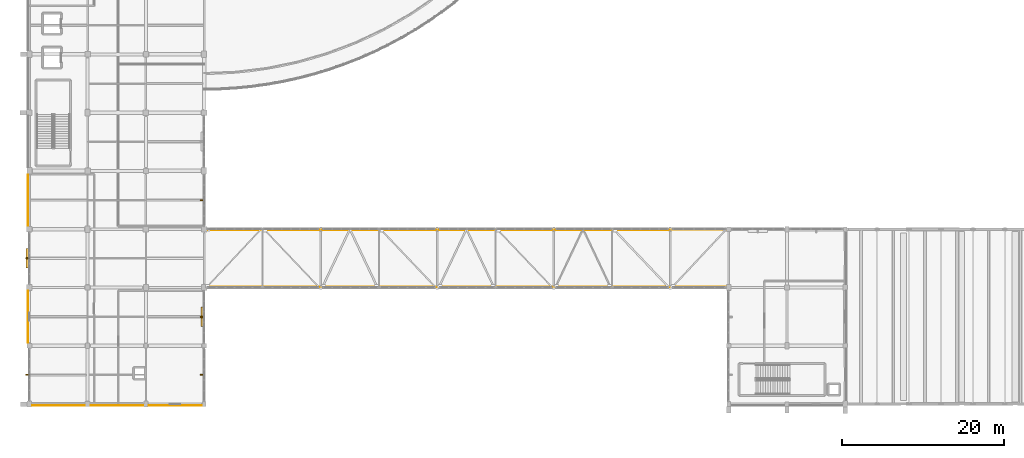
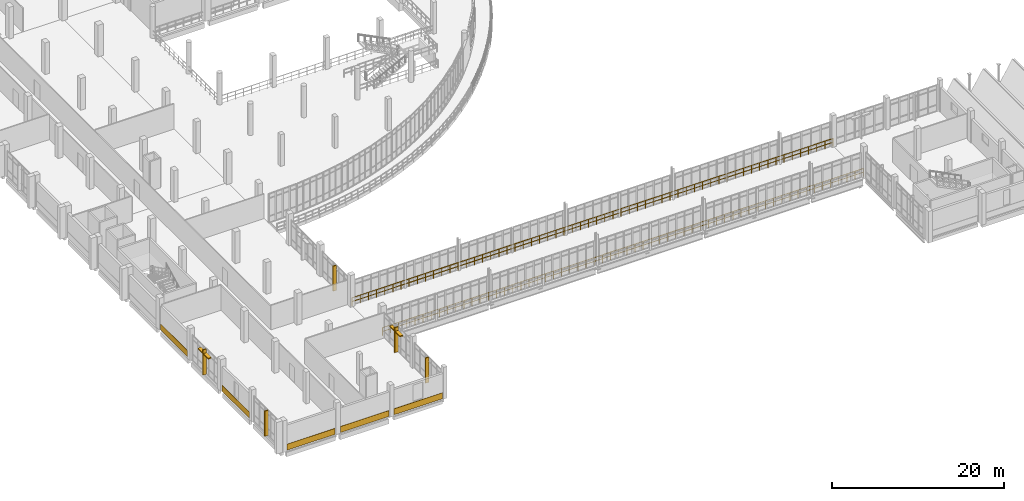
# One storey, part 115 of 124: 7 shading devices, 5 coverings, 2 railings.
"""IFC4 building model written with IfcOpenShell, lengths in metres."""

import ifcopenshell
import ifcopenshell.guid

model = None  # the IFC model being written
_history = None  # IfcOwnerHistory: only IFC2X3 demands one
_inside = {}  # id of a spatial element -> (the spatial element, [elements in it])
_under = {}  # id of a project, library or spatial element -> (it, [spatial elements below it])
_declared = {}  # id of a project -> (the project, [libraries it declares])
_typed = {}  # id of a type object -> (the type object, [elements of that type])
_made_of = {}  # id of a material, layer set ... -> (it, [elements and type objects made of it])


def new_model(schema):
    """Start an empty IFC model of exactly this schema.

    Asked for "IFC4X3", IfcOpenShell would pick the latest addendum, in which some entities
    have other attributes; the version numbers below select the first issue.
    IFC2X3 requires an IfcOwnerHistory on every rooted entity: one is made here for all.
    """
    global model, _history
    if schema == "IFC4X3":
        model = ifcopenshell.file(schema_version=(4, 3, 0, 0))
    else:
        model = ifcopenshell.file(schema=schema)
    _inside.clear()
    _under.clear()
    _declared.clear()
    _typed.clear()
    _made_of.clear()
    _history = None
    if model.schema == "IFC2X3":
        org = make("IfcOrganization", Name="unknown")
        user = make(
            "IfcPersonAndOrganization",
            ThePerson=make("IfcPerson", FamilyName="unknown"),
            TheOrganization=org,
        )
        app = make(
            "IfcApplication",
            ApplicationDeveloper=org,
            Version="unknown",
            ApplicationFullName="unknown",
            ApplicationIdentifier="unknown",
        )
        _history = make(
            "IfcOwnerHistory",
            OwningUser=user,
            OwningApplication=app,
            ChangeAction="ADDED",
            CreationDate=0,
        )
    return model


def make(cls, **values):
    """One entity of the class cls with the attributes given. An attribute that is None is left unset."""
    return model.create_entity(
        cls, **{name: value for name, value in values.items() if value is not None}
    )


def rooted(cls, **values):
    """An entity with a GlobalId (a new one), such as an element, a storey or a relation."""
    return make(cls, GlobalId=ifcopenshell.guid.new(), OwnerHistory=_history, **values)


def si_unit(unit_type, name, prefix=None):
    """IfcSIUnit, for example si_unit("LENGTHUNIT", "METRE", prefix="MILLI")."""
    return make("IfcSIUnit", UnitType=unit_type, Prefix=prefix, Name=name)


def assignment(units):
    """IfcUnitAssignment: the units of a project."""
    return None if units is None else make("IfcUnitAssignment", Units=units)


def point(xyz):
    """IfcCartesianPoint."""
    return None if xyz is None else make("IfcCartesianPoint", Coordinates=xyz)


def direction(xyz):
    """IfcDirection."""
    return None if xyz is None else make("IfcDirection", DirectionRatios=xyz)


def frame(location, z_axis=None, x_axis=None):
    """IfcAxis2Placement3D, a coordinate frame: its origin and axes. An axis left out is left unset."""
    return make(
        "IfcAxis2Placement3D",
        Location=point(location),
        Axis=direction(z_axis),
        RefDirection=direction(x_axis),
    )


def frame_2d(location, x_axis=None):
    """IfcAxis2Placement2D, a coordinate frame in the plane: its origin and x axis."""
    return make(
        "IfcAxis2Placement2D", Location=point(location), RefDirection=direction(x_axis)
    )


def origin():
    """The frame at (0, 0, 0) with its axes left unset."""
    return frame((0.0, 0.0, 0.0))


def origin_2d():
    """The frame at (0, 0) in the plane with its x axis left unset."""
    return frame_2d((0.0, 0.0))


def place(relative_to, where):
    """IfcLocalPlacement: puts the frame where relative to a parent placement (None: the world)."""
    return make(
        "IfcLocalPlacement", PlacementRelTo=relative_to, RelativePlacement=where
    )


def context(
    kind, dimensions, precision=None, world=None, true_north=None, identifier=None
):
    """IfcGeometricRepresentationContext, for example the 3D "Model" context."""
    return make(
        "IfcGeometricRepresentationContext",
        ContextIdentifier=identifier,
        ContextType=kind,
        CoordinateSpaceDimension=dimensions,
        Precision=precision,
        WorldCoordinateSystem=world,
        TrueNorth=true_north,
    )


def subcontext(parent, identifier, kind, view, scale=None):
    """IfcGeometricRepresentationSubContext, for example "Body" below "Model"."""
    return make(
        "IfcGeometricRepresentationSubContext",
        ContextIdentifier=identifier,
        ContextType=kind,
        ParentContext=parent,
        TargetScale=scale,
        TargetView=view,
    )


def project(units=None, contexts=None):
    """IfcProject with its units and contexts."""
    return rooted(
        "IfcProject",
        Name="project",
        RepresentationContexts=contexts,
        UnitsInContext=assignment(units),
    )


def spatial(cls, under=None, at=None, **own):
    """A site, building, storey or space (cls), placed at a placement, below another one or the project."""
    s = rooted(cls, ObjectPlacement=at, **own)
    if under is not None:
        _under.setdefault(under.id(), (under, []))[1].append(s)
    return s


def profile(cls, at=None, kind="AREA", **sizes):
    """A parametric profile (cls). Its sizes go by their IFC names, for example OverallWidth=200.0."""
    return make(cls, ProfileType=kind, Position=at, **sizes)


def rectangle(**sizes):
    """IfcRectangleProfileDef."""
    return profile("IfcRectangleProfileDef", **sizes)


def circle(**sizes):
    """IfcCircleProfileDef."""
    return profile("IfcCircleProfileDef", **sizes)


def extrude(swept, where, along, depth):
    """IfcExtrudedAreaSolid: the profile swept, set in the frame where, extruded along a direction by depth."""
    return make(
        "IfcExtrudedAreaSolid",
        SweptArea=swept,
        Position=where,
        ExtrudedDirection=direction(along),
        Depth=depth,
    )


def shape(context_of_items, identifier, shape_type, items):
    """IfcShapeRepresentation: the items that make up one representation, for example the "Body"."""
    return make(
        "IfcShapeRepresentation",
        ContextOfItems=context_of_items,
        RepresentationIdentifier=identifier,
        RepresentationType=shape_type,
        Items=items,
    )


def material(Name=None, Category=None):
    """IfcMaterial."""
    return make("IfcMaterial", Name=Name, Category=Category)


def layer(
    of_material, thickness, ventilated=None, Name=None, Category=None, Priority=None
):
    """IfcMaterialLayer: one layer of a wall or slab, of a material (None: an air gap)."""
    return make(
        "IfcMaterialLayer",
        Material=of_material,
        LayerThickness=thickness,
        IsVentilated=ventilated,
        Name=Name,
        Category=Category,
        Priority=Priority,
    )


def layer_set(layers, Name=None):
    """IfcMaterialLayerSet."""
    return make("IfcMaterialLayerSet", MaterialLayers=layers, LayerSetName=Name)


def made_of(thing, what):
    """Note that an element or type object is made of a material, layer set ...; save() writes the relation."""
    if what is not None:
        _made_of.setdefault(what.id(), (what, []))[1].append(thing)
    return thing


def type_object(cls, material=None, **own):
    """A type object (cls), such as IfcWallType, which elements share."""
    return made_of(rooted(cls, **own), material)


def element(
    cls,
    number,
    at=None,
    inside=None,
    cuts=None,
    type_object=None,
    material=None,
    context=None,
    identifier="Body",
    shape_type=None,
    held_by="IfcProductDefinitionShape",
    body=None,
    shapes=None,
    **own,
):
    """One element of the class cls, such as IfcWall. Its Tag is "e" and its number.

    at: its placement. inside: the storey or other place that contains it. cuts: it is an
    opening in that element (IfcRelVoidsElement). A single representation is given by context,
    identifier, shape_type and body (its items); several are given by shapes. held_by: the class
    of the entity that holds the representations. save() writes the other relations.
    """
    e = rooted(cls, Tag="e%d" % number, ObjectPlacement=at, **own)
    if body is not None:
        shapes = [shape(context, identifier, shape_type, body)]
    if shapes is not None:
        e.Representation = make(held_by, Representations=shapes)
    if inside is not None:
        _inside.setdefault(inside.id(), (inside, []))[1].append(e)
    if cuts is not None:
        rooted(
            "IfcRelVoidsElement", RelatingBuildingElement=cuts, RelatedOpeningElement=e
        )
    if type_object is not None:
        _typed.setdefault(type_object.id(), (type_object, []))[1].append(e)
    return made_of(e, material)


def aggregate(whole, parts):
    """IfcRelAggregates: a whole, such as a stair, and the parts it consists of."""
    return rooted("IfcRelAggregates", RelatingObject=whole, RelatedObjects=parts)


def save(model, path):
    """Write the relations noted so far, then the file.

    IfcRelAggregates (storeys below a building ...), IfcRelContainedInSpatialStructure (elements
    in a storey), IfcRelDefinesByType, IfcRelAssociatesMaterial and IfcRelDeclares: one each for
    every whole, place, type object, material and project.
    """
    for whole, parts in _under.values():
        aggregate(whole, parts)
    for where, things in _inside.values():
        rooted(
            "IfcRelContainedInSpatialStructure",
            RelatedElements=things,
            RelatingStructure=where,
        )
    for kind, things in _typed.values():
        rooted("IfcRelDefinesByType", RelatedObjects=things, RelatingType=kind)
    for what, things in _made_of.values():
        rooted("IfcRelAssociatesMaterial", RelatedObjects=things, RelatingMaterial=what)
    for by, libraries in _declared.values():
        rooted("IfcRelDeclares", RelatingContext=by, RelatedDefinitions=libraries)
    model.write(path)


model = new_model("IFC4")

# Units and contexts
model_context = context("Model", 3, precision=1e-05, world=origin(), true_north=direction((0.0, 1.0)))
body_context = subcontext(model_context, "Body", "Model", "MODEL_VIEW")
ifc_project = project(units=[si_unit("LENGTHUNIT", "METRE"), si_unit("AREAUNIT", "SQUARE_METRE"), si_unit("VOLUMEUNIT", "CUBIC_METRE"), si_unit("PLANEANGLEUNIT", "RADIAN"), si_unit("MASSUNIT", "GRAM", prefix="KILO")], contexts=[model_context])

# Site, building, storey
site_placement = place(None, origin())
site = spatial("IfcSite", under=ifc_project, at=site_placement, CompositionType="ELEMENT")
building_placement = place(site_placement, origin())
building = spatial("IfcBuilding", under=site, at=building_placement, Name="Kalluvel Institute of Natural Sciences", CompositionType="ELEMENT")
storey_placement = place(building_placement, frame((0.0, 0.0, 9.89990234375)))
storey = spatial("IfcBuildingStorey", under=building, at=storey_placement, Name="L02", CompositionType="ELEMENT", Elevation=9.89990234375)

# Coverings
ifc_material_1 = material(Name="Sadarahalli Grey Granite Ashlar Concrete M40", Category="masonry")
ifc_layer = layer(ifc_material_1, 0.044921875)
ifc_layer_set = layer_set([ifc_layer], Name="Sadarahalli Grey Granite Ashlar Concrete M40")
covering_type = type_object("IfcCoveringType", Name="COV-CLAD-STONE", PredefinedType="CLADDING", material=ifc_layer_set)
covering_1_placement = place(storey_placement, frame((13.830078125, 24.77490234375, 0.025146484375), z_axis=(0.0, 0.0, 1.0), x_axis=(0.0, 1.0, 0.0)))
element("IfcCovering", 1, at=covering_1_placement, inside=storey, type_object=covering_type, Name="L02 Sadarahalli granite plinth spandrel cladding 149", PredefinedType="CLADDING", context=body_context, shape_type="SweptSolid", body=[
    extrude(rectangle(XDim=6.389892578125, YDim=0.044921875, at=origin_2d()), origin(), (0.0, 0.0, 1.0), 0.85009765625),
])
covering_2_placement = place(storey_placement, frame((13.830078125, 39.16259765625, 0.025146484375), z_axis=(0.0, 0.0, 1.0), x_axis=(0.0, 1.0, 0.0)))
element("IfcCovering", 2, at=covering_2_placement, inside=storey, type_object=covering_type, Name="L02 Sadarahalli granite plinth spandrel cladding 150", PredefinedType="CLADDING", context=body_context, shape_type="SweptSolid", body=[
    extrude(rectangle(XDim=6.31494140625, YDim=0.044921875, at=origin_2d()), origin(), (0.0, 0.0, 1.0), 0.85009765625),
])
covering_3_placement = place(storey_placement, frame((17.58740234375, 13.830078125, 0.025146484375), z_axis=(0.0, 0.0, 1.0), x_axis=(1.0, 0.0, 0.0)))
element("IfcCovering", 3, at=covering_3_placement, inside=storey, type_object=covering_type, Name="L02 Sadarahalli granite plinth spandrel cladding 157", PredefinedType="CLADDING", context=body_context, shape_type="SweptSolid", body=[
    extrude(rectangle(XDim=6.465087890625, YDim=0.044921875, at=origin_2d()), origin(), (0.0, 0.0, 1.0), 0.85009765625),
])
covering_4_placement = place(storey_placement, frame((24.824951171875, 13.830078125, 0.025146484375), z_axis=(0.0, 0.0, 1.0), x_axis=(1.0, 0.0, 0.0)))
element("IfcCovering", 4, at=covering_4_placement, inside=storey, type_object=covering_type, Name="L02 Sadarahalli granite plinth spandrel cladding 158", PredefinedType="CLADDING", context=body_context, shape_type="SweptSolid", body=[
    extrude(rectangle(XDim=6.489990234375, YDim=0.044921875, at=origin_2d()), origin(), (0.0, 0.0, 1.0), 0.85009765625),
])
covering_5_placement = place(storey_placement, frame((32.012451171875, 13.830078125, 0.025146484375), z_axis=(0.0, 0.0, 1.0), x_axis=(1.0, 0.0, 0.0)))
element("IfcCovering", 5, at=covering_5_placement, inside=storey, type_object=covering_type, Name="L02 Sadarahalli granite plinth spandrel cladding 159", PredefinedType="CLADDING", context=body_context, shape_type="SweptSolid", body=[
    extrude(rectangle(XDim=6.56494140625, YDim=0.044921875, at=origin_2d()), origin(), (0.0, 0.0, 1.0), 0.85009765625),
])

# Railings
ifc_material_2 = material(Name="Galvanized Fire-Rated Steel", Category="steel")
railing_type = type_object("IfcRailingType", Name="RL-GD-ATRIUM", PredefinedType="BALUSTRADE", material=ifc_material_2)
railing_1_placement = place(storey_placement, frame((35.64990234375, 28.47998046875, 0.0)))
element("IfcRailing", 6, at=railing_1_placement, inside=storey, type_object=railing_type, Name="L02 Glazed Truss Link Bridge S safety balustrade", PredefinedType="BALUSTRADE", context=body_context, shape_type="SweptSolid", body=[
    extrude(circle(Radius=0.02392578125, at=origin_2d()), frame((0.0, 0.0, 1.09619140625), z_axis=(1.0, 0.0, 0.0), x_axis=(0.0, 1.0, 0.0)), (0.0, 0.0, 1.0), 64.7001953125),
    extrude(circle(Radius=0.02392578125, at=origin_2d()), frame((0.0, 0.0, 0.56005859375), z_axis=(1.0, 0.0, 0.0), x_axis=(0.0, 1.0, 0.0)), (0.0, 0.0, 1.0), 64.7001953125),
    extrude(circle(Radius=0.02099609375, at=origin_2d()), origin(), (0.0, 0.0, 1.0), 1.072021484375),
    extrude(circle(Radius=0.02099609375, at=origin_2d()), frame((1.0966796875, 0.0, 0.0)), (0.0, 0.0, 1.0), 1.072021484375),
    extrude(circle(Radius=0.02099609375, at=origin_2d()), frame((2.193115234375, 0.0, 0.0)), (0.0, 0.0, 1.0), 1.072021484375),
    extrude(circle(Radius=0.02099609375, at=origin_2d()), frame((3.289794921875, 0.0, 0.0)), (0.0, 0.0, 1.0), 1.072021484375),
    extrude(circle(Radius=0.02099609375, at=origin_2d()), frame((4.386474609375, 0.0, 0.0)), (0.0, 0.0, 1.0), 1.072021484375),
    extrude(circle(Radius=0.02099609375, at=origin_2d()), frame((5.483154296875, 0.0, 0.0)), (0.0, 0.0, 1.0), 1.072021484375),
    extrude(circle(Radius=0.02099609375, at=origin_2d()), frame((6.57958984375, 0.0, 0.0)), (0.0, 0.0, 1.0), 1.072021484375),
    extrude(circle(Radius=0.02099609375, at=origin_2d()), frame((7.67626953125, 0.0, 0.0)), (0.0, 0.0, 1.0), 1.072021484375),
    extrude(circle(Radius=0.02099609375, at=origin_2d()), frame((8.77294921875, 0.0, 0.0)), (0.0, 0.0, 1.0), 1.072021484375),
    extrude(circle(Radius=0.02099609375, at=origin_2d()), frame((9.86962890625, 0.0, 0.0)), (0.0, 0.0, 1.0), 1.072021484375),
    extrude(circle(Radius=0.02099609375, at=origin_2d()), frame((10.966064453125, 0.0, 0.0)), (0.0, 0.0, 1.0), 1.072021484375),
    extrude(circle(Radius=0.02099609375, at=origin_2d()), frame((12.062744140625, 0.0, 0.0)), (0.0, 0.0, 1.0), 1.072021484375),
    extrude(circle(Radius=0.02099609375, at=origin_2d()), frame((13.159423828125, 0.0, 0.0)), (0.0, 0.0, 1.0), 1.072021484375),
    extrude(circle(Radius=0.02099609375, at=origin_2d()), frame((14.255859375, 0.0, 0.0)), (0.0, 0.0, 1.0), 1.072021484375),
    extrude(circle(Radius=0.02099609375, at=origin_2d()), frame((15.3525390625, 0.0, 0.0)), (0.0, 0.0, 1.0), 1.072021484375),
    extrude(circle(Radius=0.02099609375, at=origin_2d()), frame((16.44921875, 0.0, 0.0)), (0.0, 0.0, 1.0), 1.072021484375),
    extrude(circle(Radius=0.02099609375, at=origin_2d()), frame((17.5458984375, 0.0, 0.0)), (0.0, 0.0, 1.0), 1.072021484375),
    extrude(circle(Radius=0.02099609375, at=origin_2d()), frame((18.642333984375, 0.0, 0.0)), (0.0, 0.0, 1.0), 1.072021484375),
    extrude(circle(Radius=0.02099609375, at=origin_2d()), frame((19.739013671875, 0.0, 0.0)), (0.0, 0.0, 1.0), 1.072021484375),
    extrude(circle(Radius=0.02099609375, at=origin_2d()), frame((20.835693359375, 0.0, 0.0)), (0.0, 0.0, 1.0), 1.072021484375),
    extrude(circle(Radius=0.02099609375, at=origin_2d()), frame((21.932373046875, 0.0, 0.0)), (0.0, 0.0, 1.0), 1.072021484375),
    extrude(circle(Radius=0.02099609375, at=origin_2d()), frame((23.02880859375, 0.0, 0.0)), (0.0, 0.0, 1.0), 1.072021484375),
    extrude(circle(Radius=0.02099609375, at=origin_2d()), frame((24.12548828125, 0.0, 0.0)), (0.0, 0.0, 1.0), 1.072021484375),
    extrude(circle(Radius=0.02099609375, at=origin_2d()), frame((25.22216796875, 0.0, 0.0)), (0.0, 0.0, 1.0), 1.072021484375),
    extrude(circle(Radius=0.02099609375, at=origin_2d()), frame((26.318603515625, 0.0, 0.0)), (0.0, 0.0, 1.0), 1.072021484375),
    extrude(circle(Radius=0.02099609375, at=origin_2d()), frame((27.415283203125, 0.0, 0.0)), (0.0, 0.0, 1.0), 1.072021484375),
    extrude(circle(Radius=0.02099609375, at=origin_2d()), frame((28.511962890625, 0.0, 0.0)), (0.0, 0.0, 1.0), 1.072021484375),
    extrude(circle(Radius=0.02099609375, at=origin_2d()), frame((29.608642578125, 0.0, 0.0)), (0.0, 0.0, 1.0), 1.072021484375),
    extrude(circle(Radius=0.02099609375, at=origin_2d()), frame((30.705078125, 0.0, 0.0)), (0.0, 0.0, 1.0), 1.072021484375),
    extrude(circle(Radius=0.02099609375, at=origin_2d()), frame((31.8017578125, 0.0, 0.0)), (0.0, 0.0, 1.0), 1.072021484375),
    extrude(circle(Radius=0.02099609375, at=origin_2d()), frame((32.8984375, 0.0, 0.0)), (0.0, 0.0, 1.0), 1.072021484375),
    extrude(circle(Radius=0.02099609375, at=origin_2d()), frame((33.9951171875, 0.0, 0.0)), (0.0, 0.0, 1.0), 1.072021484375),
    extrude(circle(Radius=0.02099609375, at=origin_2d()), frame((35.091552734375, 0.0, 0.0)), (0.0, 0.0, 1.0), 1.072021484375),
    extrude(circle(Radius=0.02099609375, at=origin_2d()), frame((36.188232421875, 0.0, 0.0)), (0.0, 0.0, 1.0), 1.072021484375),
    extrude(circle(Radius=0.02099609375, at=origin_2d()), frame((37.284912109375, 0.0, 0.0)), (0.0, 0.0, 1.0), 1.072021484375),
    extrude(circle(Radius=0.02099609375, at=origin_2d()), frame((38.381591796875, 0.0, 0.0)), (0.0, 0.0, 1.0), 1.072021484375),
    extrude(circle(Radius=0.02099609375, at=origin_2d()), frame((39.47802734375, 0.0, 0.0)), (0.0, 0.0, 1.0), 1.072021484375),
    extrude(circle(Radius=0.02099609375, at=origin_2d()), frame((40.57470703125, 0.0, 0.0)), (0.0, 0.0, 1.0), 1.072021484375),
    extrude(circle(Radius=0.02099609375, at=origin_2d()), frame((41.67138671875, 0.0, 0.0)), (0.0, 0.0, 1.0), 1.072021484375),
    extrude(circle(Radius=0.02099609375, at=origin_2d()), frame((42.767822265625, 0.0, 0.0)), (0.0, 0.0, 1.0), 1.072021484375),
    extrude(circle(Radius=0.02099609375, at=origin_2d()), frame((43.864501953125, 0.0, 0.0)), (0.0, 0.0, 1.0), 1.072021484375),
    extrude(circle(Radius=0.02099609375, at=origin_2d()), frame((44.961181640625, 0.0, 0.0)), (0.0, 0.0, 1.0), 1.072021484375),
    extrude(circle(Radius=0.02099609375, at=origin_2d()), frame((46.057861328125, 0.0, 0.0)), (0.0, 0.0, 1.0), 1.072021484375),
    extrude(circle(Radius=0.02099609375, at=origin_2d()), frame((47.154296875, 0.0, 0.0)), (0.0, 0.0, 1.0), 1.072021484375),
    extrude(circle(Radius=0.02099609375, at=origin_2d()), frame((48.2509765625, 0.0, 0.0)), (0.0, 0.0, 1.0), 1.072021484375),
    extrude(circle(Radius=0.02099609375, at=origin_2d()), frame((49.34765625, 0.0, 0.0)), (0.0, 0.0, 1.0), 1.072021484375),
    extrude(circle(Radius=0.02099609375, at=origin_2d()), frame((50.4443359375, 0.0, 0.0)), (0.0, 0.0, 1.0), 1.072021484375),
    extrude(circle(Radius=0.02099609375, at=origin_2d()), frame((51.540771484375, 0.0, 0.0)), (0.0, 0.0, 1.0), 1.072021484375),
    extrude(circle(Radius=0.02099609375, at=origin_2d()), frame((52.637451171875, 0.0, 0.0)), (0.0, 0.0, 1.0), 1.072021484375),
    extrude(circle(Radius=0.02099609375, at=origin_2d()), frame((53.734130859375, 0.0, 0.0)), (0.0, 0.0, 1.0), 1.072021484375),
    extrude(circle(Radius=0.02099609375, at=origin_2d()), frame((54.83056640625, 0.0, 0.0)), (0.0, 0.0, 1.0), 1.072021484375),
    extrude(circle(Radius=0.02099609375, at=origin_2d()), frame((55.92724609375, 0.0, 0.0)), (0.0, 0.0, 1.0), 1.072021484375),
    extrude(circle(Radius=0.02099609375, at=origin_2d()), frame((57.02392578125, 0.0, 0.0)), (0.0, 0.0, 1.0), 1.072021484375),
    extrude(circle(Radius=0.02099609375, at=origin_2d()), frame((58.12060546875, 0.0, 0.0)), (0.0, 0.0, 1.0), 1.072021484375),
    extrude(circle(Radius=0.02099609375, at=origin_2d()), frame((59.217041015625, 0.0, 0.0)), (0.0, 0.0, 1.0), 1.072021484375),
    extrude(circle(Radius=0.02099609375, at=origin_2d()), frame((60.313720703125, 0.0, 0.0)), (0.0, 0.0, 1.0), 1.072021484375),
    extrude(circle(Radius=0.02099609375, at=origin_2d()), frame((61.410400390625, 0.0, 0.0)), (0.0, 0.0, 1.0), 1.072021484375),
    extrude(circle(Radius=0.02099609375, at=origin_2d()), frame((62.507080078125, 0.0, 0.0)), (0.0, 0.0, 1.0), 1.072021484375),
    extrude(circle(Radius=0.02099609375, at=origin_2d()), frame((63.603515625, 0.0, 0.0)), (0.0, 0.0, 1.0), 1.072021484375),
    extrude(circle(Radius=0.02099609375, at=origin_2d()), frame((64.7001953125, 0.0, 0.0)), (0.0, 0.0, 1.0), 1.072021484375),
])
railing_2_placement = place(storey_placement, frame((35.64990234375, 35.52001953125, 0.0)))
element("IfcRailing", 7, at=railing_2_placement, inside=storey, type_object=railing_type, Name="L02 Glazed Truss Link Bridge N safety balustrade", PredefinedType="BALUSTRADE", context=body_context, shape_type="SweptSolid", body=[
    extrude(circle(Radius=0.02392578125, at=origin_2d()), frame((0.0, 0.0, 1.09619140625), z_axis=(1.0, 0.0, 0.0), x_axis=(0.0, 1.0, 0.0)), (0.0, 0.0, 1.0), 64.7001953125),
    extrude(circle(Radius=0.02392578125, at=origin_2d()), frame((0.0, 0.0, 0.56005859375), z_axis=(1.0, 0.0, 0.0), x_axis=(0.0, 1.0, 0.0)), (0.0, 0.0, 1.0), 64.7001953125),
    extrude(circle(Radius=0.02099609375, at=origin_2d()), origin(), (0.0, 0.0, 1.0), 1.072021484375),
    extrude(circle(Radius=0.02099609375, at=origin_2d()), frame((1.0966796875, 0.0, 0.0)), (0.0, 0.0, 1.0), 1.072021484375),
    extrude(circle(Radius=0.02099609375, at=origin_2d()), frame((2.193115234375, 0.0, 0.0)), (0.0, 0.0, 1.0), 1.072021484375),
    extrude(circle(Radius=0.02099609375, at=origin_2d()), frame((3.289794921875, 0.0, 0.0)), (0.0, 0.0, 1.0), 1.072021484375),
    extrude(circle(Radius=0.02099609375, at=origin_2d()), frame((4.386474609375, 0.0, 0.0)), (0.0, 0.0, 1.0), 1.072021484375),
    extrude(circle(Radius=0.02099609375, at=origin_2d()), frame((5.483154296875, 0.0, 0.0)), (0.0, 0.0, 1.0), 1.072021484375),
    extrude(circle(Radius=0.02099609375, at=origin_2d()), frame((6.57958984375, 0.0, 0.0)), (0.0, 0.0, 1.0), 1.072021484375),
    extrude(circle(Radius=0.02099609375, at=origin_2d()), frame((7.67626953125, 0.0, 0.0)), (0.0, 0.0, 1.0), 1.072021484375),
    extrude(circle(Radius=0.02099609375, at=origin_2d()), frame((8.77294921875, 0.0, 0.0)), (0.0, 0.0, 1.0), 1.072021484375),
    extrude(circle(Radius=0.02099609375, at=origin_2d()), frame((9.86962890625, 0.0, 0.0)), (0.0, 0.0, 1.0), 1.072021484375),
    extrude(circle(Radius=0.02099609375, at=origin_2d()), frame((10.966064453125, 0.0, 0.0)), (0.0, 0.0, 1.0), 1.072021484375),
    extrude(circle(Radius=0.02099609375, at=origin_2d()), frame((12.062744140625, 0.0, 0.0)), (0.0, 0.0, 1.0), 1.072021484375),
    extrude(circle(Radius=0.02099609375, at=origin_2d()), frame((13.159423828125, 0.0, 0.0)), (0.0, 0.0, 1.0), 1.072021484375),
    extrude(circle(Radius=0.02099609375, at=origin_2d()), frame((14.255859375, 0.0, 0.0)), (0.0, 0.0, 1.0), 1.072021484375),
    extrude(circle(Radius=0.02099609375, at=origin_2d()), frame((15.3525390625, 0.0, 0.0)), (0.0, 0.0, 1.0), 1.072021484375),
    extrude(circle(Radius=0.02099609375, at=origin_2d()), frame((16.44921875, 0.0, 0.0)), (0.0, 0.0, 1.0), 1.072021484375),
    extrude(circle(Radius=0.02099609375, at=origin_2d()), frame((17.5458984375, 0.0, 0.0)), (0.0, 0.0, 1.0), 1.072021484375),
    extrude(circle(Radius=0.02099609375, at=origin_2d()), frame((18.642333984375, 0.0, 0.0)), (0.0, 0.0, 1.0), 1.072021484375),
    extrude(circle(Radius=0.02099609375, at=origin_2d()), frame((19.739013671875, 0.0, 0.0)), (0.0, 0.0, 1.0), 1.072021484375),
    extrude(circle(Radius=0.02099609375, at=origin_2d()), frame((20.835693359375, 0.0, 0.0)), (0.0, 0.0, 1.0), 1.072021484375),
    extrude(circle(Radius=0.02099609375, at=origin_2d()), frame((21.932373046875, 0.0, 0.0)), (0.0, 0.0, 1.0), 1.072021484375),
    extrude(circle(Radius=0.02099609375, at=origin_2d()), frame((23.02880859375, 0.0, 0.0)), (0.0, 0.0, 1.0), 1.072021484375),
    extrude(circle(Radius=0.02099609375, at=origin_2d()), frame((24.12548828125, 0.0, 0.0)), (0.0, 0.0, 1.0), 1.072021484375),
    extrude(circle(Radius=0.02099609375, at=origin_2d()), frame((25.22216796875, 0.0, 0.0)), (0.0, 0.0, 1.0), 1.072021484375),
    extrude(circle(Radius=0.02099609375, at=origin_2d()), frame((26.318603515625, 0.0, 0.0)), (0.0, 0.0, 1.0), 1.072021484375),
    extrude(circle(Radius=0.02099609375, at=origin_2d()), frame((27.415283203125, 0.0, 0.0)), (0.0, 0.0, 1.0), 1.072021484375),
    extrude(circle(Radius=0.02099609375, at=origin_2d()), frame((28.511962890625, 0.0, 0.0)), (0.0, 0.0, 1.0), 1.072021484375),
    extrude(circle(Radius=0.02099609375, at=origin_2d()), frame((29.608642578125, 0.0, 0.0)), (0.0, 0.0, 1.0), 1.072021484375),
    extrude(circle(Radius=0.02099609375, at=origin_2d()), frame((30.705078125, 0.0, 0.0)), (0.0, 0.0, 1.0), 1.072021484375),
    extrude(circle(Radius=0.02099609375, at=origin_2d()), frame((31.8017578125, 0.0, 0.0)), (0.0, 0.0, 1.0), 1.072021484375),
    extrude(circle(Radius=0.02099609375, at=origin_2d()), frame((32.8984375, 0.0, 0.0)), (0.0, 0.0, 1.0), 1.072021484375),
    extrude(circle(Radius=0.02099609375, at=origin_2d()), frame((33.9951171875, 0.0, 0.0)), (0.0, 0.0, 1.0), 1.072021484375),
    extrude(circle(Radius=0.02099609375, at=origin_2d()), frame((35.091552734375, 0.0, 0.0)), (0.0, 0.0, 1.0), 1.072021484375),
    extrude(circle(Radius=0.02099609375, at=origin_2d()), frame((36.188232421875, 0.0, 0.0)), (0.0, 0.0, 1.0), 1.072021484375),
    extrude(circle(Radius=0.02099609375, at=origin_2d()), frame((37.284912109375, 0.0, 0.0)), (0.0, 0.0, 1.0), 1.072021484375),
    extrude(circle(Radius=0.02099609375, at=origin_2d()), frame((38.381591796875, 0.0, 0.0)), (0.0, 0.0, 1.0), 1.072021484375),
    extrude(circle(Radius=0.02099609375, at=origin_2d()), frame((39.47802734375, 0.0, 0.0)), (0.0, 0.0, 1.0), 1.072021484375),
    extrude(circle(Radius=0.02099609375, at=origin_2d()), frame((40.57470703125, 0.0, 0.0)), (0.0, 0.0, 1.0), 1.072021484375),
    extrude(circle(Radius=0.02099609375, at=origin_2d()), frame((41.67138671875, 0.0, 0.0)), (0.0, 0.0, 1.0), 1.072021484375),
    extrude(circle(Radius=0.02099609375, at=origin_2d()), frame((42.767822265625, 0.0, 0.0)), (0.0, 0.0, 1.0), 1.072021484375),
    extrude(circle(Radius=0.02099609375, at=origin_2d()), frame((43.864501953125, 0.0, 0.0)), (0.0, 0.0, 1.0), 1.072021484375),
    extrude(circle(Radius=0.02099609375, at=origin_2d()), frame((44.961181640625, 0.0, 0.0)), (0.0, 0.0, 1.0), 1.072021484375),
    extrude(circle(Radius=0.02099609375, at=origin_2d()), frame((46.057861328125, 0.0, 0.0)), (0.0, 0.0, 1.0), 1.072021484375),
    extrude(circle(Radius=0.02099609375, at=origin_2d()), frame((47.154296875, 0.0, 0.0)), (0.0, 0.0, 1.0), 1.072021484375),
    extrude(circle(Radius=0.02099609375, at=origin_2d()), frame((48.2509765625, 0.0, 0.0)), (0.0, 0.0, 1.0), 1.072021484375),
    extrude(circle(Radius=0.02099609375, at=origin_2d()), frame((49.34765625, 0.0, 0.0)), (0.0, 0.0, 1.0), 1.072021484375),
    extrude(circle(Radius=0.02099609375, at=origin_2d()), frame((50.4443359375, 0.0, 0.0)), (0.0, 0.0, 1.0), 1.072021484375),
    extrude(circle(Radius=0.02099609375, at=origin_2d()), frame((51.540771484375, 0.0, 0.0)), (0.0, 0.0, 1.0), 1.072021484375),
    extrude(circle(Radius=0.02099609375, at=origin_2d()), frame((52.637451171875, 0.0, 0.0)), (0.0, 0.0, 1.0), 1.072021484375),
    extrude(circle(Radius=0.02099609375, at=origin_2d()), frame((53.734130859375, 0.0, 0.0)), (0.0, 0.0, 1.0), 1.072021484375),
    extrude(circle(Radius=0.02099609375, at=origin_2d()), frame((54.83056640625, 0.0, 0.0)), (0.0, 0.0, 1.0), 1.072021484375),
    extrude(circle(Radius=0.02099609375, at=origin_2d()), frame((55.92724609375, 0.0, 0.0)), (0.0, 0.0, 1.0), 1.072021484375),
    extrude(circle(Radius=0.02099609375, at=origin_2d()), frame((57.02392578125, 0.0, 0.0)), (0.0, 0.0, 1.0), 1.072021484375),
    extrude(circle(Radius=0.02099609375, at=origin_2d()), frame((58.12060546875, 0.0, 0.0)), (0.0, 0.0, 1.0), 1.072021484375),
    extrude(circle(Radius=0.02099609375, at=origin_2d()), frame((59.217041015625, 0.0, 0.0)), (0.0, 0.0, 1.0), 1.072021484375),
    extrude(circle(Radius=0.02099609375, at=origin_2d()), frame((60.313720703125, 0.0, 0.0)), (0.0, 0.0, 1.0), 1.072021484375),
    extrude(circle(Radius=0.02099609375, at=origin_2d()), frame((61.410400390625, 0.0, 0.0)), (0.0, 0.0, 1.0), 1.072021484375),
    extrude(circle(Radius=0.02099609375, at=origin_2d()), frame((62.507080078125, 0.0, 0.0)), (0.0, 0.0, 1.0), 1.072021484375),
    extrude(circle(Radius=0.02099609375, at=origin_2d()), frame((63.603515625, 0.0, 0.0)), (0.0, 0.0, 1.0), 1.072021484375),
    extrude(circle(Radius=0.02099609375, at=origin_2d()), frame((64.7001953125, 0.0, 0.0)), (0.0, 0.0, 1.0), 1.072021484375),
])

# Shading devices
shading_device_type_1 = type_object("IfcShadingDeviceType", Name="SHD-FIN-STONE", PredefinedType="USERDEFINED", material=ifc_material_1)
for number, where, z_axis, x_axis, name in (
    (8, (13.780029296875, 17.637451171875, 0.0), (0.0, 0.0, 1.0), (0.0, 1.0, 0.0), "L02 monsoon lancet shading fin 140"),
    (9, (13.780029296875, 32.012451171875, 0.0), (0.0, 0.0, 1.0), (0.0, 1.0, 0.0), "L02 monsoon lancet shading fin 141"),
    (10, (35.3798828125, 17.612548828125, 0.0), (0.0, 0.0, 1.0), (0.0, 1.0, 0.0), "L02 monsoon lancet shading fin 146"),
    (11, (35.3798828125, 24.762451171875, 0.0), (0.0, 0.0, 1.0), (0.0, 1.0, 0.0), "L02 monsoon lancet shading fin 147"),
    (12, (35.3798828125, 39.16259765625, 0.0), (0.0, 0.0, 1.0), (0.0, 1.0, 0.0), "L02 monsoon lancet shading fin 149"),
):
    element("IfcShadingDevice", number, at=place(storey_placement, frame(where, z_axis=z_axis, x_axis=x_axis)), inside=storey, type_object=shading_device_type_1, Name=name, ObjectType="MONSOON FIN", PredefinedType="USERDEFINED", context=body_context, shape_type="SweptSolid", body=[
        extrude(rectangle(XDim=0.139892578125, YDim=0.47998046875, at=origin_2d()), origin(), (0.0, 0.0, 1.0), 3.570068359375),
    ])
ifc_material_3 = material(Name="Aluminium AW-6063 T6", Category="aluminium")
shading_device_type_2 = type_object("IfcShadingDeviceType", Name="SHD-LOUV-ALU", PredefinedType="JALOUSIE", material=ifc_material_3)
for number, where, z_axis, x_axis, name in (
    (13, (13.800048828125, 32.012451171875, 2.89013671875), (0.0, 0.0, 1.0), (0.0, 1.0, 0.0), "L02 aluminium sun-shading louvre 142"),
    (14, (35.39990234375, 24.762451171875, 2.89013671875), (0.0, 0.0, 1.0), (0.0, 1.0, 0.0), "L02 aluminium sun-shading louvre 148"),
):
    element("IfcShadingDevice", number, at=place(storey_placement, frame(where, z_axis=z_axis, x_axis=x_axis)), inside=storey, type_object=shading_device_type_2, Name=name, PredefinedType="JALOUSIE", context=body_context, shape_type="SweptSolid", body=[
        extrude(rectangle(XDim=2.39990234375, YDim=0.419921875, at=origin_2d()), origin(), (0.0, 0.0, 1.0), 0.159912109375),
    ])

save(model, "model.ifc")
